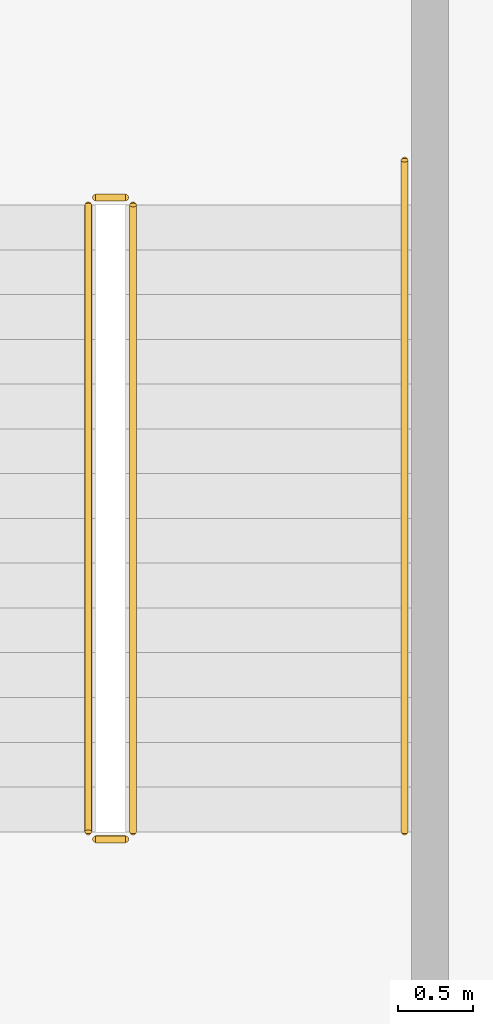
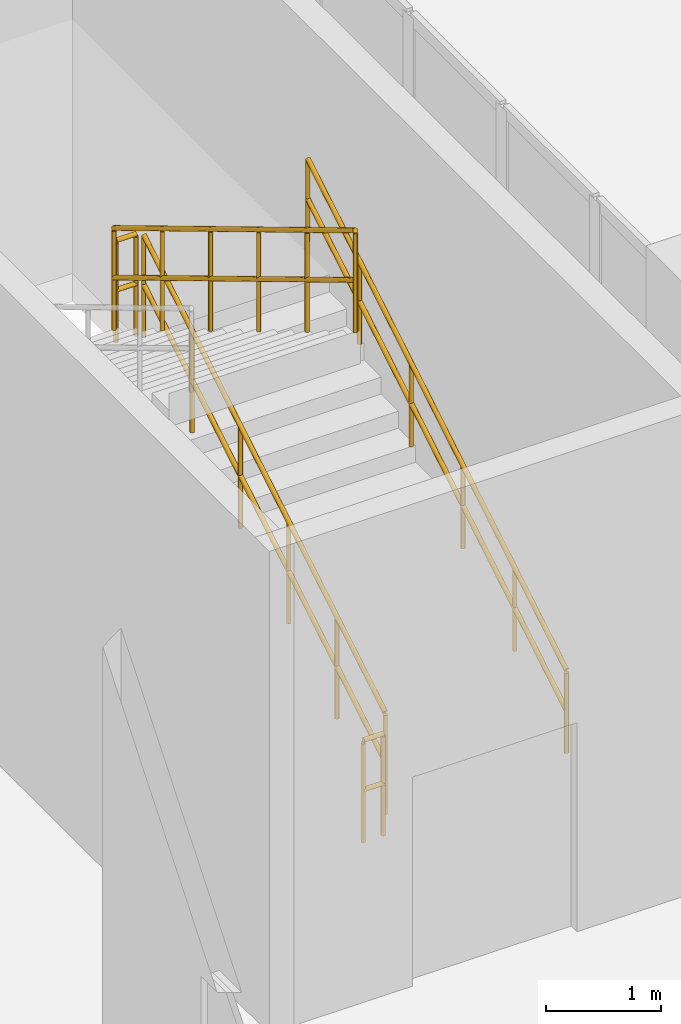
# One storey, part 97 of 103: 5 railings.
"""IFC4 building model written with IfcOpenShell, lengths in metres."""

from ifc_helpers import new_model, si_unit, direction, frame, origin, origin_2d, place, context, subcontext, project, spatial, circle, extrude, material, type_object, element, save


model = new_model("IFC4")

# Units and contexts
model_context = context("Model", 3, precision=1e-05, world=origin(), true_north=direction((0.0, 1.0)))
body_context = subcontext(model_context, "Body", "Model", "MODEL_VIEW")
ifc_project = project(units=[si_unit("LENGTHUNIT", "METRE"), si_unit("AREAUNIT", "SQUARE_METRE"), si_unit("VOLUMEUNIT", "CUBIC_METRE"), si_unit("PLANEANGLEUNIT", "RADIAN"), si_unit("MASSUNIT", "GRAM", prefix="KILO")], contexts=[model_context])

# Site, building, storey
site_placement = place(None, origin())
site = spatial("IfcSite", under=ifc_project, at=site_placement, CompositionType="ELEMENT")
building_placement = place(site_placement, origin())
building = spatial("IfcBuilding", under=site, at=building_placement, Name="Marnock Terrace Opera House", CompositionType="ELEMENT")
storey_placement = place(building_placement, origin())
storey = spatial("IfcBuildingStorey", under=building, at=storey_placement, Name="L00", CompositionType="ELEMENT", Elevation=0.0)

# Railings
ifc_material = material(Name="Architectural bronze balustrade")
railing_type_1 = type_object("IfcRailingType", Name="RL-GUARD-1100", PredefinedType="GUARDRAIL", material=ifc_material)
railing_1_placement = place(storey_placement, frame((105.81005859375, 48.239990234375, 0.179931640625)))
element("IfcRailing", 1, at=railing_1_placement, inside=storey, type_object=railing_type_1, Name="L00 ST-02 stair guard 1", PredefinedType="GUARDRAIL", context=body_context, shape_type="SweptSolid", body=[
    extrude(circle(Radius=0.02392578125, at=origin_2d()), frame((0.0, 0.0, 1.076171875), z_axis=(0.0, 0.857488527567, 0.514503085598), x_axis=(-1.0, 0.0, 0.0)), (0.0, 0.0, 1.0), 4.89794921875),
    extrude(circle(Radius=0.02392578125, at=origin_2d()), frame((0.0, 0.0, 0.550048828125), z_axis=(0.0, 0.857488527567, 0.514503085598), x_axis=(-1.0, 0.0, 0.0)), (0.0, 0.0, 1.0), 4.89794921875),
    extrude(circle(Radius=0.02099609375, at=origin_2d()), origin(), (0.0, 0.0, 1.0), 1.052001953125),
    extrude(circle(Radius=0.02099609375, at=origin_2d()), frame((0.0, 0.840087890625, 0.50390625)), (0.0, 0.0, 1.0), 1.052001953125),
    extrude(circle(Radius=0.02099609375, at=origin_2d()), frame((0.0, 1.679931640625, 1.008056640625)), (0.0, 0.0, 1.0), 1.052001953125),
    extrude(circle(Radius=0.02099609375, at=origin_2d()), frame((0.0, 2.52001953125, 1.511962890625)), (0.0, 0.0, 1.0), 1.052001953125),
    extrude(circle(Radius=0.02099609375, at=origin_2d()), frame((0.0, 3.35986328125, 2.01611328125)), (0.0, 0.0, 1.0), 1.052001953125),
    extrude(circle(Radius=0.02099609375, at=origin_2d()), frame((0.0, 4.199951171875, 2.52001953125)), (0.0, 0.0, 1.0), 1.052001953125),
])
railing_2_placement = place(storey_placement, frame((105.760009765625, 52.489990234375, 2.699951171875)))
element("IfcRailing", 2, at=railing_2_placement, inside=storey, type_object=railing_type_1, Name="L00 ST-02 stair guard 2", PredefinedType="GUARDRAIL", context=body_context, shape_type="SweptSolid", body=[
    extrude(circle(Radius=0.02392578125, at=origin_2d()), frame((0.0, 0.0, 1.076171875), z_axis=(-1.0, 0.0, 0.0), x_axis=(0.0, -1.0, 0.0)), (0.0, 0.0, 1.0), 0.199951171875),
    extrude(circle(Radius=0.02392578125, at=origin_2d()), frame((0.0, 0.0, 0.550048828125), z_axis=(-1.0, 0.0, 0.0), x_axis=(0.0, -1.0, 0.0)), (0.0, 0.0, 1.0), 0.199951171875),
    extrude(circle(Radius=0.02099609375, at=origin_2d()), origin(), (0.0, 0.0, 1.0), 1.052001953125),
    extrude(circle(Radius=0.02099609375, at=origin_2d()), frame((-0.199951171875, 0.0, 0.0)), (0.0, 0.0, 1.0), 1.052001953125),
])
railing_3_placement = place(storey_placement, frame((105.510009765625, 52.43994140625, 2.8798828125)))
element("IfcRailing", 3, at=railing_3_placement, inside=storey, type_object=railing_type_1, Name="L00 ST-02 stair guard 3", PredefinedType="GUARDRAIL", context=body_context, shape_type="SweptSolid", body=[
    extrude(circle(Radius=0.02392578125, at=origin_2d()), frame((0.0, 0.0, 1.076171875), z_axis=(0.0, -0.857488527567, 0.514503085598), x_axis=(1.0, 0.0, 0.0)), (0.0, 0.0, 1.0), 4.89794921875),
    extrude(circle(Radius=0.02392578125, at=origin_2d()), frame((0.0, 0.0, 0.550048828125), z_axis=(0.0, -0.857488527567, 0.514503085598), x_axis=(1.0, 0.0, 0.0)), (0.0, 0.0, 1.0), 4.89794921875),
    extrude(circle(Radius=0.02099609375, at=origin_2d()), origin(), (0.0, 0.0, 1.0), 1.052001953125),
    extrude(circle(Radius=0.02099609375, at=origin_2d()), frame((0.0, -0.840087890625, 0.50390625)), (0.0, 0.0, 1.0), 1.052001953125),
    extrude(circle(Radius=0.02099609375, at=origin_2d()), frame((0.0, -1.679931640625, 1.008056640625)), (0.0, 0.0, 1.0), 1.052001953125),
    extrude(circle(Radius=0.02099609375, at=origin_2d()), frame((0.0, -2.52001953125, 1.511962890625)), (0.0, 0.0, 1.0), 1.052001953125),
    extrude(circle(Radius=0.02099609375, at=origin_2d()), frame((0.0, -3.35986328125, 2.01611328125)), (0.0, 0.0, 1.0), 1.052001953125),
    extrude(circle(Radius=0.02099609375, at=origin_2d()), frame((0.0, -4.199951171875, 2.52001953125)), (0.0, 0.0, 1.0), 1.052001953125),
])
railing_4_placement = place(storey_placement, frame((105.760009765625, 48.18994140625, 0.0)))
element("IfcRailing", 4, at=railing_4_placement, inside=storey, type_object=railing_type_1, Name="L00 ST-02 stair guard 4", PredefinedType="GUARDRAIL", context=body_context, shape_type="SweptSolid", body=[
    extrude(circle(Radius=0.02392578125, at=origin_2d()), frame((0.0, 0.0, 1.076171875), z_axis=(-1.0, 0.0, 0.0), x_axis=(0.0, -1.0, 0.0)), (0.0, 0.0, 1.0), 0.199951171875),
    extrude(circle(Radius=0.02392578125, at=origin_2d()), frame((0.0, 0.0, 0.550048828125), z_axis=(-1.0, 0.0, 0.0), x_axis=(0.0, -1.0, 0.0)), (0.0, 0.0, 1.0), 0.199951171875),
    extrude(circle(Radius=0.02099609375, at=origin_2d()), origin(), (0.0, 0.0, 1.0), 1.052001953125),
    extrude(circle(Radius=0.02099609375, at=origin_2d()), frame((-0.199951171875, 0.0, 0.0)), (0.0, 0.0, 1.0), 1.052001953125),
])
railing_type_2 = type_object("IfcRailingType", Name="RL-HAND-900", PredefinedType="HANDRAIL", material=ifc_material)
railing_5_placement = place(storey_placement, frame((107.6298828125, 48.239990234375, 0.19189453125)))
element("IfcRailing", 5, at=railing_5_placement, inside=storey, type_object=railing_type_2, Name="L00 ST-02 stair handrail 1", PredefinedType="HANDRAIL", context=body_context, shape_type="SweptSolid", body=[
    extrude(circle(Radius=0.02392578125, at=origin_2d()), frame((0.0, 0.0, 0.8759765625), z_axis=(0.0, 0.857476506072, 0.514523120505), x_axis=(-1.0, 0.0, 0.0)), (0.0, 0.0, 1.0), 5.248046875),
    extrude(circle(Radius=0.02392578125, at=origin_2d()), frame((0.0, 0.0, 0.449951171875), z_axis=(0.0, 0.857476506072, 0.514523120505), x_axis=(-1.0, 0.0, 0.0)), (0.0, 0.0, 1.0), 5.248046875),
    extrude(circle(Radius=0.02099609375, at=origin_2d()), origin(), (0.0, 0.0, 1.0), 0.851806640625),
    extrude(circle(Radius=0.02099609375, at=origin_2d()), frame((0.0, 0.89990234375, 0.5400390625)), (0.0, 0.0, 1.0), 0.851806640625),
    extrude(circle(Radius=0.02099609375, at=origin_2d()), frame((0.0, 1.800048828125, 1.080078125)), (0.0, 0.0, 1.0), 0.851806640625),
    extrude(circle(Radius=0.02099609375, at=origin_2d()), frame((0.0, 2.699951171875, 1.6201171875)), (0.0, 0.0, 1.0), 0.851806640625),
    extrude(circle(Radius=0.02099609375, at=origin_2d()), frame((0.0, 3.60009765625, 2.16015625)), (0.0, 0.0, 1.0), 0.851806640625),
    extrude(circle(Radius=0.02099609375, at=origin_2d()), frame((0.0, 4.5, 2.7001953125)), (0.0, 0.0, 1.0), 0.851806640625),
])

save(model, "model.ifc")
